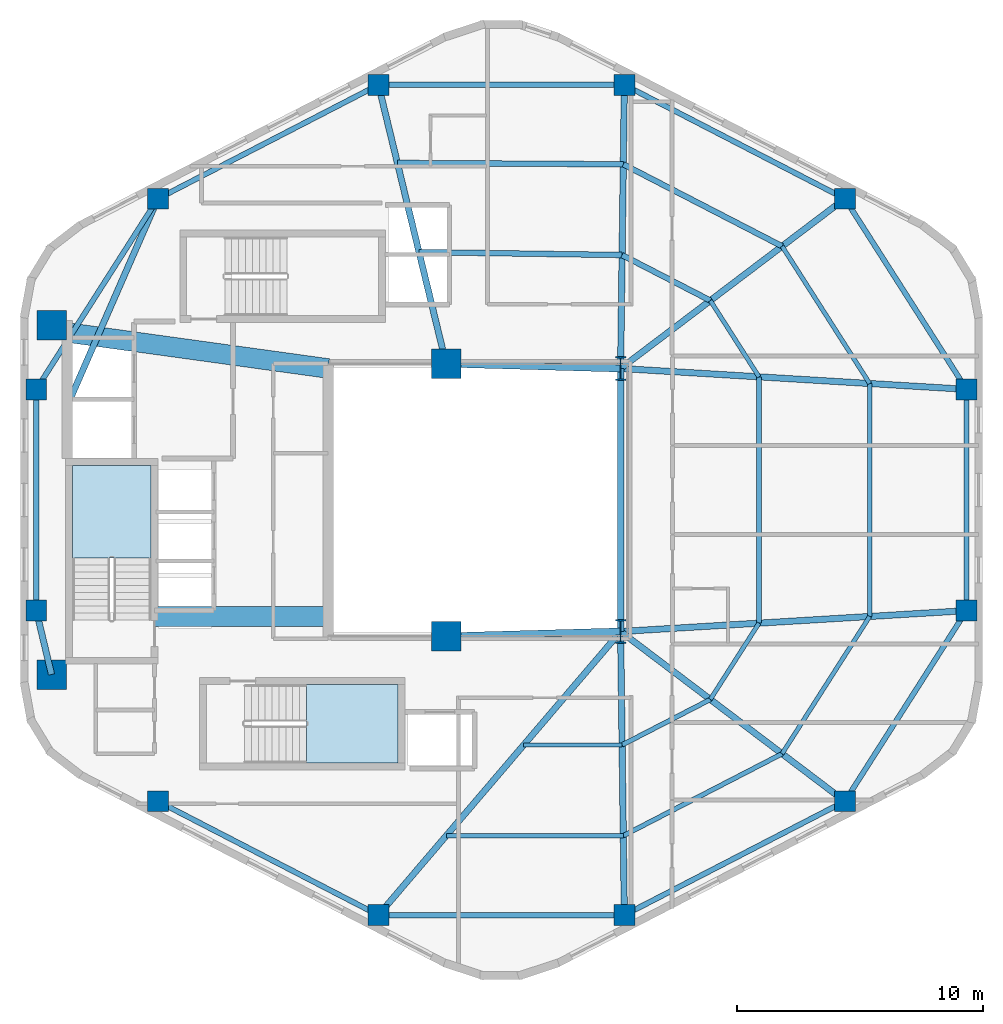
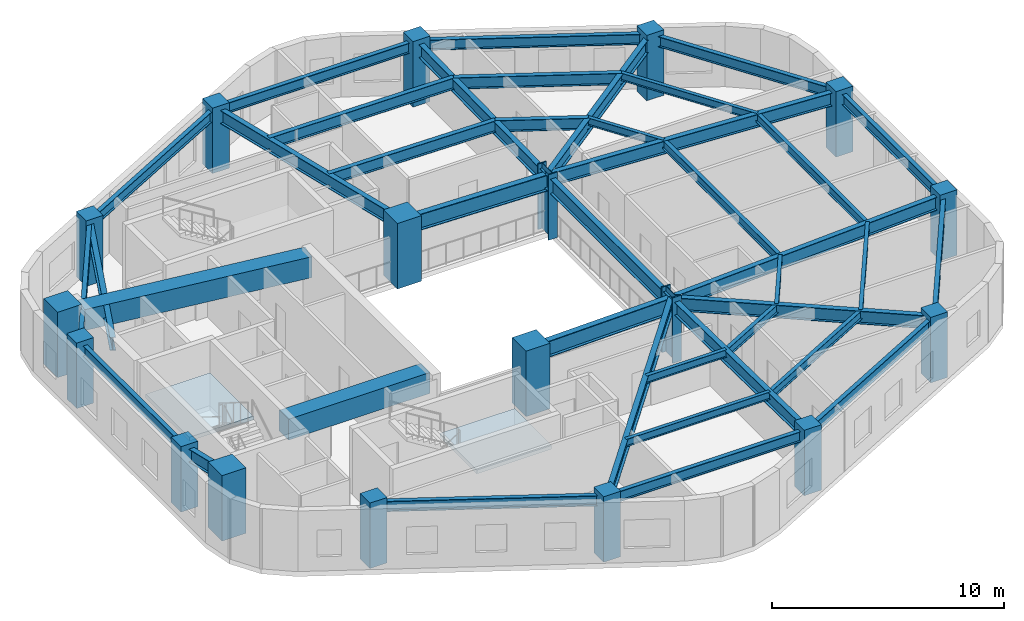
# One storey, part 1 of 7: 40 beams, 18 columns, 2 slabs, 2 elements without a shape of their own.
"""IFC4 building model written with IfcOpenShell, lengths in metres."""

from ifc_helpers import new_model, si_unit, direction, frame, origin, origin_2d, place, context, subcontext, project, spatial, polyline, rectangle, i_section, outline, extrude, material, layer, layer_set, material_profile, profile_set, type_object, element, aggregate, save


model = new_model("IFC4")

# Units and contexts
model_context = context("Model", 3, precision=1e-05, world=origin(), true_north=direction((0.0, 1.0)))
body_context = subcontext(model_context, "Body", "Model", "MODEL_VIEW")
ifc_project = project(units=[si_unit("LENGTHUNIT", "METRE"), si_unit("AREAUNIT", "SQUARE_METRE"), si_unit("VOLUMEUNIT", "CUBIC_METRE"), si_unit("PLANEANGLEUNIT", "RADIAN"), si_unit("MASSUNIT", "GRAM", prefix="KILO"), si_unit("THERMODYNAMICTEMPERATUREUNIT", "KELVIN"), si_unit("POWERUNIT", "WATT")], contexts=[model_context])

# Site, building, storey
site_placement = place(None, origin())
site = spatial("IfcSite", under=ifc_project, at=site_placement, CompositionType="ELEMENT")
building_placement = place(site_placement, origin())
building = spatial("IfcBuilding", under=site, at=building_placement, Name="Skarre Station Tower", CompositionType="ELEMENT")
storey_placement = place(building_placement, frame((0.0, 0.0, 196.449951171875)))
storey = spatial("IfcBuildingStorey", under=building, at=storey_placement, Name="L53", CompositionType="ELEMENT", Elevation=196.449951171875)

# Columns
ifc_material_1 = material(Name="Concrete C60/75", Category="concrete")
ifc_material_profile_1 = material_profile(ifc_material_1, rectangle(XDim=1.199951171875, YDim=1.199951171875, at=origin_2d()), Name="Concrete C60/75")
ifc_profile_set_1 = profile_set([ifc_material_profile_1], Name="Concrete C60/75")
column_type_1 = type_object("IfcColumnType", Name="RC Structural Column RC-COL-1200X1200", PredefinedType="COLUMN", material=ifc_profile_set_1)
for number, where, z_axis, x_axis, name in (
    (1, (16.300048828125, 16.89990234375, 0.0), (0.0, 0.0, 1.0), (1.0, 0.0, 0.0), "L53 Core Column CC-SW"),
    (2, (16.300048828125, 31.10009765625, 0.0), (0.0, 0.0, 1.0), (1.0, 0.0, 0.0), "L53 Core Column CC-NW"),
    (3, (32.35009765625, 18.449951171875, 0.0), (0.0, 0.0, 1.0), (1.0, 0.0, 0.0), "L53 Core Column CC-SE"),
    (4, (32.35009765625, 29.550048828125, 0.0), (0.0, 0.0, 1.0), (1.0, 0.0, 0.0), "L53 Core Column CC-NE"),
):
    element("IfcColumn", number, at=place(storey_placement, frame(where, z_axis=z_axis, x_axis=x_axis)), inside=storey, type_object=column_type_1, Name=name, PredefinedType="COLUMN", context=body_context, shape_type="SweptSolid", body=[
        extrude(rectangle(XDim=1.199951171875, YDim=1.199951171875, at=origin_2d()), origin(), (0.0, 0.0, 1.0), 3.449951171875),
    ])
ifc_material_2 = material(Name="Concrete C50/60", Category="concrete")
ifc_material_profile_2 = material_profile(ifc_material_2, rectangle(XDim=0.85009765625, YDim=0.85009765625, at=origin_2d()), Name="Concrete C50/60")
ifc_profile_set_2 = profile_set([ifc_material_profile_2], Name="Concrete C50/60")
column_type_2 = type_object("IfcColumnType", Name="RC Structural Column RC-COL-850X850", PredefinedType="COLUMN", material=ifc_profile_set_2)
for number, where, z_axis, x_axis, name in (
    (5, (48.573974609375, 36.257080078125, 0.0), (0.0, 0.0, 1.0), (1.0, 0.0, 0.0), "L53 Zone 3 Perimeter Column F0C1"),
    (6, (39.60205078125, 40.887939453125, 0.0), (0.0, 0.0, 1.0), (1.0, 0.0, 0.0), "L53 Zone 3 Perimeter Column F0C2"),
    (7, (29.597900390625, 40.887939453125, 0.0), (0.0, 0.0, 1.0), (1.0, 0.0, 0.0), "L53 Zone 3 Perimeter Column F1C1"),
    (8, (20.6259765625, 36.257080078125, 0.0), (0.0, 0.0, 1.0), (1.0, 0.0, 0.0), "L53 Zone 3 Perimeter Column F1C2"),
    (9, (15.677978515625, 28.5009765625, 0.0), (0.0, 0.0, 1.0), (1.0, 0.0, 0.0), "L53 Zone 3 Perimeter Column F2C1"),
    (10, (15.677978515625, 19.4990234375, 0.0), (0.0, 0.0, 1.0), (1.0, 0.0, 0.0), "L53 Zone 3 Perimeter Column F2C2"),
    (11, (20.6259765625, 11.742919921875, 0.0), (0.0, 0.0, 1.0), (1.0, 0.0, 0.0), "L53 Zone 3 Perimeter Column F3C1"),
    (12, (29.597900390625, 7.112060546875, 0.0), (0.0, 0.0, 1.0), (1.0, 0.0, 0.0), "L53 Zone 3 Perimeter Column F3C2"),
    (13, (39.60205078125, 7.112060546875, 0.0), (0.0, 0.0, 1.0), (1.0, 0.0, 0.0), "L53 Zone 3 Perimeter Column F4C1"),
    (14, (48.573974609375, 11.742919921875, 0.0), (0.0, 0.0, 1.0), (1.0, 0.0, 0.0), "L53 Zone 3 Perimeter Column F4C2"),
    (15, (53.52197265625, 19.4990234375, 0.0), (0.0, 0.0, 1.0), (1.0, 0.0, 0.0), "L53 Zone 3 Perimeter Column F5C1"),
    (16, (53.52197265625, 28.5009765625, 0.0), (0.0, 0.0, 1.0), (1.0, 0.0, 0.0), "L53 Zone 3 Perimeter Column F5C2"),
):
    element("IfcColumn", number, at=place(storey_placement, frame(where, z_axis=z_axis, x_axis=x_axis)), inside=storey, type_object=column_type_2, Name=name, PredefinedType="COLUMN", context=body_context, shape_type="SweptSolid", body=[
        extrude(rectangle(XDim=0.85009765625, YDim=0.85009765625, at=origin_2d()), origin(), (0.0, 0.0, 1.0), 3.449951171875),
    ])
ifc_material_3 = material(Name="Steel ASTM A913 Grade 65", Category="steel")
ifc_material_profile_3 = material_profile(ifc_material_3, i_section(OverallWidth=0.430908203125, OverallDepth=0.987060546875, WebThickness=0.033935546875, FlangeThickness=0.06201171875, at=origin_2d()), Name="Steel ASTM A913 Grade 65")
ifc_profile_set_3 = profile_set([ifc_material_profile_3], Name="Steel ASTM A913 Grade 65")
column_type_3 = type_object("IfcColumnType", Name="Steel Column W36X441", PredefinedType="COLUMN", material=ifc_profile_set_3)
for number, where, z_axis, x_axis, name in (
    (17, (39.449951171875, 18.64990234375, 0.0), (0.0, 0.0, 1.0), (1.0, 0.0, 0.0), "L53 Atrium Spine Column AC-SE"),
    (18, (39.449951171875, 29.35009765625, 0.0), (0.0, 0.0, 1.0), (1.0, 0.0, 0.0), "L53 Atrium Spine Column AC-NE"),
):
    element("IfcColumn", number, at=place(storey_placement, frame(where, z_axis=z_axis, x_axis=x_axis)), inside=storey, type_object=column_type_3, Name=name, PredefinedType="COLUMN", context=body_context, shape_type="SweptSolid", body=[
        extrude(i_section(OverallWidth=0.430908203125, OverallDepth=0.987060546875, WebThickness=0.033935546875, FlangeThickness=0.06201171875, at=origin_2d()), origin(), (0.0, 0.0, 1.0), 3.449951171875),
    ])

# Beams
ifc_material_4 = material(Name="Concrete C70/85", Category="concrete")
ifc_material_profile_4 = material_profile(ifc_material_4, rectangle(XDim=0.800048828125, YDim=1.10009765625, at=origin_2d()), Name="Concrete C70/85")
ifc_profile_set_4 = profile_set([ifc_material_profile_4], Name="Concrete C70/85")
beam_type_1 = type_object("IfcBeamType", Name="RC Core Coupling Lintel 800x1100", PredefinedType="LINTEL", material=ifc_profile_set_4)
beam_1_placement = place(storey_placement, frame((20.489990234375, 19.260009765625, 2.64013671875), z_axis=(1.0, 0.0, 0.0), x_axis=(0.0, 1.0, 0.0)))
element("IfcBeam", 19, at=beam_1_placement, inside=storey, type_object=beam_type_1, Name="L53 South Core Coupling Lintel", PredefinedType="LINTEL", context=body_context, shape_type="SweptSolid", body=[
    extrude(rectangle(XDim=0.800048828125, YDim=1.10009765625, at=origin_2d()), origin(), (0.0, 0.0, 1.0), 7.06005859375),
])
beam_2_placement = place(storey_placement, frame((17.050048828125, 30.800048828125, 2.64013671875), z_axis=(0.990599723633, -0.136792498109, 0.0), x_axis=(0.136792498109, 0.990599723633, 0.0)))
element("IfcBeam", 20, at=beam_2_placement, inside=storey, type_object=beam_type_1, Name="L53 North Core Coupling Lintel", PredefinedType="LINTEL", context=body_context, shape_type="SweptSolid", body=[
    extrude(rectangle(XDim=0.800048828125, YDim=1.10009765625, at=origin_2d()), origin(), (0.0, 0.0, 1.0), 10.599609375),
])
ifc_material_5 = material(Name="Steel ASTM A992 Grade 50", Category="steel")
ifc_material_profile_5 = material_profile(ifc_material_5, i_section(OverallWidth=0.256103515625, OverallDepth=0.693115234375, WebThickness=0.013916015625, FlangeThickness=0.02392578125, at=origin_2d()), Name="Steel ASTM A992 Grade 50")
ifc_profile_set_5 = profile_set([ifc_material_profile_5], Name="Steel ASTM A992 Grade 50")
beam_type_2 = type_object("IfcBeamType", Name="Steel Beam W27X114", PredefinedType="BEAM", material=ifc_profile_set_5)
beam_3_placement = place(storey_placement, frame((39.449951171875, 29.35009765625, 2.843017578125), z_axis=(0.797308988117, 0.603571352425, 0.0), x_axis=(-0.603571352425, 0.797308988117, 0.0)))
element("IfcBeam", 21, at=beam_3_placement, inside=storey, type_object=beam_type_2, Name="L53 Radial Floor Girder F0C1", PredefinedType="BEAM", context=body_context, shape_type="SweptSolid", body=[
    extrude(i_section(OverallWidth=0.256103515625, OverallDepth=0.693115234375, WebThickness=0.013916015625, FlangeThickness=0.02392578125, at=origin_2d()), origin(), (0.0, 0.0, 1.0), 11.443603515625),
])
beam_4_placement = place(storey_placement, frame((39.449951171875, 29.35009765625, 2.843017578125), z_axis=(0.013181528887, 0.999913119874, 0.0), x_axis=(-0.999913119874, 0.013181528887, 0.0)))
element("IfcBeam", 22, at=beam_4_placement, inside=storey, type_object=beam_type_2, Name="L53 Radial Floor Girder F0C2", PredefinedType="BEAM", context=body_context, shape_type="SweptSolid", body=[
    extrude(i_section(OverallWidth=0.256103515625, OverallDepth=0.693115234375, WebThickness=0.013916015625, FlangeThickness=0.02392578125, at=origin_2d()), origin(), (0.0, 0.0, 1.0), 11.538818359375),
])
beam_5_placement = place(storey_placement, frame((32.35009765625, 29.550048828125, 2.843017578125), z_axis=(-0.235892880832, 0.971779063765, 0.0), x_axis=(-0.971779063765, -0.235892880832, 0.0)))
element("IfcBeam", 23, at=beam_5_placement, inside=storey, type_object=beam_type_2, Name="L53 Radial Floor Girder F1C1", PredefinedType="BEAM", context=body_context, shape_type="SweptSolid", body=[
    extrude(i_section(OverallWidth=0.256103515625, OverallDepth=0.693115234375, WebThickness=0.013916015625, FlangeThickness=0.02392578125, at=origin_2d()), origin(), (0.0, 0.0, 1.0), 11.667236328125),
])
beam_6_placement = place(storey_placement, frame((17.010009765625, 28.0, 2.843017578125), z_axis=(0.401144174417, 0.916014929644, 0.0), x_axis=(-0.916014929644, 0.401144174417, 0.0)))
element("IfcBeam", 24, at=beam_6_placement, inside=storey, type_object=beam_type_2, Name="L53 Radial Floor Girder F1C2", PredefinedType="BEAM", context=body_context, shape_type="SweptSolid", body=[
    extrude(i_section(OverallWidth=0.256103515625, OverallDepth=0.693115234375, WebThickness=0.013916015625, FlangeThickness=0.02392578125, at=origin_2d()), origin(), (0.0, 0.0, 1.0), 9.01416015625),
])
beam_7_placement = place(storey_placement, frame((16.300048828125, 16.89990234375, 2.843017578125), z_axis=(-0.232764815072, 0.972533053867, 0.0), x_axis=(-0.972533053867, -0.232764815072, 0.0)))
element("IfcBeam", 25, at=beam_7_placement, inside=storey, type_object=beam_type_2, Name="L53 Radial Floor Girder F2C2", PredefinedType="BEAM", context=body_context, shape_type="SweptSolid", body=[
    extrude(i_section(OverallWidth=0.256103515625, OverallDepth=0.693115234375, WebThickness=0.013916015625, FlangeThickness=0.02392578125, at=origin_2d()), origin(), (0.0, 0.0, 1.0), 2.672607421875),
])
beam_8_placement = place(storey_placement, frame((39.449951171875, 18.64990234375, 2.843017578125), z_axis=(-0.649364312169, -0.760477475065, 0.0), x_axis=(0.760477475065, -0.649364312169, 0.0)))
element("IfcBeam", 26, at=beam_8_placement, inside=storey, type_object=beam_type_2, Name="L53 Radial Floor Girder F3C2", PredefinedType="BEAM", context=body_context, shape_type="SweptSolid", body=[
    extrude(i_section(OverallWidth=0.256103515625, OverallDepth=0.693115234375, WebThickness=0.013916015625, FlangeThickness=0.02392578125, at=origin_2d()), origin(), (0.0, 0.0, 1.0), 15.171875),
])
beam_9_placement = place(storey_placement, frame((39.449951171875, 18.64990234375, 2.843017578125), z_axis=(0.013181528887, -0.999913119874, 0.0), x_axis=(0.999913119874, 0.013181528887, 0.0)))
element("IfcBeam", 27, at=beam_9_placement, inside=storey, type_object=beam_type_2, Name="L53 Radial Floor Girder F4C1", PredefinedType="BEAM", context=body_context, shape_type="SweptSolid", body=[
    extrude(i_section(OverallWidth=0.256103515625, OverallDepth=0.693115234375, WebThickness=0.013916015625, FlangeThickness=0.02392578125, at=origin_2d()), origin(), (0.0, 0.0, 1.0), 11.538818359375),
])
beam_10_placement = place(storey_placement, frame((39.449951171875, 18.64990234375, 2.843017578125), z_axis=(0.797308988117, -0.603571352425, 0.0), x_axis=(0.603571352425, 0.797308988117, 0.0)))
element("IfcBeam", 28, at=beam_10_placement, inside=storey, type_object=beam_type_2, Name="L53 Radial Floor Girder F4C2", PredefinedType="BEAM", context=body_context, shape_type="SweptSolid", body=[
    extrude(i_section(OverallWidth=0.256103515625, OverallDepth=0.693115234375, WebThickness=0.013916015625, FlangeThickness=0.02392578125, at=origin_2d()), origin(), (0.0, 0.0, 1.0), 11.443603515625),
])
for number, where, z_axis, x_axis, name in (
    (29, (39.449951171875, 18.64990234375, 2.843017578125), (0.998184432941, 0.060231535207, 0.0), (-0.060231535207, 0.998184432941, 0.0), "L53 Radial Floor Girder F5C1"),
    (30, (39.449951171875, 29.35009765625, 2.843017578125), (0.998184432941, -0.060231535207, 0.0), (0.060231535207, 0.998184432941, 0.0), "L53 Radial Floor Girder F5C2"),
):
    element("IfcBeam", number, at=place(storey_placement, frame(where, z_axis=z_axis, x_axis=x_axis)), inside=storey, type_object=beam_type_2, Name=name, PredefinedType="BEAM", context=body_context, shape_type="SweptSolid", body=[
        extrude(i_section(OverallWidth=0.256103515625, OverallDepth=0.693115234375, WebThickness=0.013916015625, FlangeThickness=0.02392578125, at=origin_2d()), origin(), (0.0, 0.0, 1.0), 14.09765625),
    ])
ifc_material_profile_6 = material_profile(ifc_material_5, i_section(OverallWidth=0.26806640625, OverallDepth=0.77001953125, WebThickness=0.01611328125, FlangeThickness=0.02490234375, at=origin_2d()), Name="Steel ASTM A992 Grade 50")
ifc_profile_set_6 = profile_set([ifc_material_profile_6], Name="Steel ASTM A992 Grade 50")
beam_type_3 = type_object("IfcBeamType", Name="Steel Beam W30X132", PredefinedType="BEAM", material=ifc_profile_set_6)
beam_11_placement = place(storey_placement, frame((39.449951171875, 18.64990234375, 2.804931640625), z_axis=(0.0, 1.0, 0.0), x_axis=(-1.0, 0.0, 0.0)))
element("IfcBeam", 31, at=beam_11_placement, inside=storey, type_object=beam_type_3, Name="L53 Atrium East Edge Girder", PredefinedType="BEAM", context=body_context, shape_type="SweptSolid", body=[
    extrude(i_section(OverallWidth=0.26806640625, OverallDepth=0.77001953125, WebThickness=0.01611328125, FlangeThickness=0.02490234375, at=origin_2d()), origin(), (0.0, 0.0, 1.0), 10.7001953125),
])
ifc_material_profile_7 = material_profile(ifc_material_5, i_section(OverallWidth=0.2919921875, OverallDepth=0.85888671875, WebThickness=0.01708984375, FlangeThickness=0.031005859375, at=origin_2d()), Name="Steel ASTM A992 Grade 50")
ifc_profile_set_7 = profile_set([ifc_material_profile_7], Name="Steel ASTM A992 Grade 50")
beam_type_4 = type_object("IfcBeamType", Name="Steel Beam W33X169", PredefinedType="BEAM", material=ifc_profile_set_7)
for number, where, z_axis, x_axis, name in (
    (32, (32.35009765625, 18.449951171875, 2.760009765625), (0.999603666405, 0.028151556095, 0.0), (-0.028151556095, 0.999603666405, 0.0), "L53 Atrium South Edge Girder"),
    (33, (32.35009765625, 29.550048828125, 2.760009765625), (0.999603666405, -0.028151556095, 0.0), (0.028151556095, 0.999603666405, 0.0), "L53 Atrium North Edge Girder"),
):
    element("IfcBeam", number, at=place(storey_placement, frame(where, z_axis=z_axis, x_axis=x_axis)), inside=storey, type_object=beam_type_4, Name=name, PredefinedType="BEAM", context=body_context, shape_type="SweptSolid", body=[
        extrude(i_section(OverallWidth=0.2919921875, OverallDepth=0.85888671875, WebThickness=0.01708984375, FlangeThickness=0.031005859375, at=origin_2d()), origin(), (0.0, 0.0, 1.0), 7.102783203125),
    ])
ifc_material_profile_8 = material_profile(ifc_material_5, i_section(OverallWidth=0.177978515625, OverallDepth=0.403076171875, WebThickness=0.008056640625, FlangeThickness=0.010986328125, at=origin_2d()), Name="Steel ASTM A992 Grade 50")
ifc_profile_set_8 = profile_set([ifc_material_profile_8], Name="Steel ASTM A992 Grade 50")
beam_type_5 = type_object("IfcBeamType", Name="Steel Joist W16X36", PredefinedType="JOIST", material=ifc_profile_set_8)
beam_12_placement = place(storey_placement, frame((35.509033203125, 14.034912109375, 2.988037109375), z_axis=(1.0, 0.0, 0.0), x_axis=(0.0, 1.0, 0.0)))
element("IfcBeam", 34, at=beam_12_placement, inside=storey, type_object=beam_type_5, Name="L53 Auxiliary Composite Joist 7", PredefinedType="JOIST", context=body_context, shape_type="SweptSolid", body=[
    extrude(i_section(OverallWidth=0.177978515625, OverallDepth=0.403076171875, WebThickness=0.008056640625, FlangeThickness=0.010986328125, at=origin_2d()), origin(), (0.0, 0.0, 1.0), 4.001953125),
])
beam_13_placement = place(storey_placement, frame((32.35693359375, 10.343017578125, 2.988037109375), z_axis=(1.0, 0.0, 0.0), x_axis=(0.0, 1.0, 0.0)))
element("IfcBeam", 35, at=beam_13_placement, inside=storey, type_object=beam_type_5, Name="L53 Auxiliary Composite Joist 8", PredefinedType="JOIST", context=body_context, shape_type="SweptSolid", body=[
    extrude(i_section(OverallWidth=0.177978515625, OverallDepth=0.403076171875, WebThickness=0.008056640625, FlangeThickness=0.010986328125, at=origin_2d()), origin(), (0.0, 0.0, 1.0), 7.2021484375),
])
beam_14_placement = place(storey_placement, frame((43.10009765625, 15.886962890625, 2.988037109375), z_axis=(0.537716516977, 0.843125700812, 0.0), x_axis=(-0.843125700812, 0.537716516977, 0.0)))
element("IfcBeam", 36, at=beam_14_placement, inside=storey, type_object=beam_type_5, Name="L53 Auxiliary Composite Joist 11", PredefinedType="JOIST", context=body_context, shape_type="SweptSolid", body=[
    extrude(i_section(OverallWidth=0.177978515625, OverallDepth=0.403076171875, WebThickness=0.008056640625, FlangeThickness=0.010986328125, at=origin_2d()), origin(), (0.0, 0.0, 1.0), 3.680419921875),
])
beam_15_placement = place(storey_placement, frame((46.01904296875, 13.677001953125, 2.988037109375), z_axis=(0.537900605588, 0.843008267165, 0.0), x_axis=(-0.843008267165, 0.537900605588, 0.0)))
element("IfcBeam", 37, at=beam_15_placement, inside=storey, type_object=beam_type_5, Name="L53 Auxiliary Composite Joist 12", PredefinedType="JOIST", context=body_context, shape_type="SweptSolid", body=[
    extrude(i_section(OverallWidth=0.177978515625, OverallDepth=0.403076171875, WebThickness=0.008056640625, FlangeThickness=0.010986328125, at=origin_2d()), origin(), (0.0, 0.0, 1.0), 6.623779296875),
])
beam_16_placement = place(storey_placement, frame((45.0791015625, 29.010009765625, 2.988037109375), z_axis=(-0.537716516977, 0.843125700812, 0.0), x_axis=(-0.843125700812, -0.537716516977, 0.0)))
element("IfcBeam", 38, at=beam_16_placement, inside=storey, type_object=beam_type_5, Name="L53 Auxiliary Composite Joist 15", PredefinedType="JOIST", context=body_context, shape_type="SweptSolid", body=[
    extrude(i_section(OverallWidth=0.177978515625, OverallDepth=0.403076171875, WebThickness=0.008056640625, FlangeThickness=0.010986328125, at=origin_2d()), origin(), (0.0, 0.0, 1.0), 3.680419921875),
])
beam_17_placement = place(storey_placement, frame((49.58203125, 28.739013671875, 2.988037109375), z_axis=(-0.537900605588, 0.843008267165, 0.0), x_axis=(-0.843008267165, -0.537900605588, 0.0)))
element("IfcBeam", 39, at=beam_17_placement, inside=storey, type_object=beam_type_5, Name="L53 Auxiliary Composite Joist 16", PredefinedType="JOIST", context=body_context, shape_type="SweptSolid", body=[
    extrude(i_section(OverallWidth=0.177978515625, OverallDepth=0.403076171875, WebThickness=0.008056640625, FlangeThickness=0.010986328125, at=origin_2d()), origin(), (0.0, 0.0, 1.0), 6.623779296875),
])
ifc_material_profile_9 = material_profile(ifc_material_5, i_section(OverallWidth=0.19091796875, OverallDepth=0.45703125, WebThickness=0.009033203125, FlangeThickness=0.013916015625, at=origin_2d()), Name="Steel ASTM A992 Grade 50")
ifc_profile_set_9 = profile_set([ifc_material_profile_9], Name="Steel ASTM A992 Grade 50")
beam_type_6 = type_object("IfcBeamType", Name="Steel Joist W18X50", PredefinedType="JOIST", material=ifc_profile_set_9)
beam_18_placement = place(storey_placement, frame((39.510986328125, 14.034912109375, 2.9609375), z_axis=(0.888660390105, 0.458565928803, 0.0), x_axis=(-0.458565928803, 0.888660390105, 0.0)))
element("IfcBeam", 40, at=beam_18_placement, inside=storey, type_object=beam_type_6, Name="L53 Auxiliary Composite Joist 9", PredefinedType="JOIST", context=body_context, shape_type="SweptSolid", body=[
    extrude(i_section(OverallWidth=0.19091796875, OverallDepth=0.45703125, WebThickness=0.009033203125, FlangeThickness=0.013916015625, at=origin_2d()), origin(), (0.0, 0.0, 1.0), 4.038818359375),
])
beam_19_placement = place(storey_placement, frame((39.55908203125, 10.343017578125, 2.9609375), z_axis=(0.88863125356, 0.458622388459, 0.0), x_axis=(-0.458622388459, 0.88863125356, 0.0)))
element("IfcBeam", 41, at=beam_19_placement, inside=storey, type_object=beam_type_6, Name="L53 Auxiliary Composite Joist 10", PredefinedType="JOIST", context=body_context, shape_type="SweptSolid", body=[
    extrude(i_section(OverallWidth=0.19091796875, OverallDepth=0.45703125, WebThickness=0.009033203125, FlangeThickness=0.013916015625, at=origin_2d()), origin(), (0.0, 0.0, 1.0), 7.26953125),
])
beam_20_placement = place(storey_placement, frame((45.0791015625, 18.989990234375, 2.9609375), z_axis=(0.0, 1.0, 0.0), x_axis=(-1.0, 0.0, 0.0)))
element("IfcBeam", 42, at=beam_20_placement, inside=storey, type_object=beam_type_6, Name="L53 Auxiliary Composite Joist 13", PredefinedType="JOIST", context=body_context, shape_type="SweptSolid", body=[
    extrude(i_section(OverallWidth=0.19091796875, OverallDepth=0.45703125, WebThickness=0.009033203125, FlangeThickness=0.013916015625, at=origin_2d()), origin(), (0.0, 0.0, 1.0), 10.02001953125),
])
beam_21_placement = place(storey_placement, frame((49.58203125, 19.260986328125, 2.9609375), z_axis=(0.0, 1.0, 0.0), x_axis=(-1.0, 0.0, 0.0)))
element("IfcBeam", 43, at=beam_21_placement, inside=storey, type_object=beam_type_6, Name="L53 Auxiliary Composite Joist 14", PredefinedType="JOIST", context=body_context, shape_type="SweptSolid", body=[
    extrude(i_section(OverallWidth=0.19091796875, OverallDepth=0.45703125, WebThickness=0.009033203125, FlangeThickness=0.013916015625, at=origin_2d()), origin(), (0.0, 0.0, 1.0), 9.47802734375),
])
ifc_material_profile_10 = material_profile(ifc_material_5, i_section(OverallWidth=0.22802734375, OverallDepth=0.60791015625, WebThickness=0.010986328125, FlangeThickness=0.01708984375, at=origin_2d()), Name="Steel ASTM A992 Grade 50")
ifc_profile_set_10 = profile_set([ifc_material_profile_10], Name="Steel ASTM A992 Grade 50")
beam_type_7 = type_object("IfcBeamType", Name="Steel Joist W24X76", PredefinedType="JOIST", material=ifc_profile_set_10)
beam_22_placement = place(storey_placement, frame((43.10009765625, 32.113037109375, 2.885986328125), z_axis=(-0.888660390105, 0.458565928803, 0.0), x_axis=(-0.458565928803, -0.888660390105, 0.0)))
element("IfcBeam", 44, at=beam_22_placement, inside=storey, type_object=beam_type_7, Name="L53 Secondary Floor Joist 1", PredefinedType="JOIST", context=body_context, shape_type="SweptSolid", body=[
    extrude(i_section(OverallWidth=0.22802734375, OverallDepth=0.60791015625, WebThickness=0.010986328125, FlangeThickness=0.01708984375, at=origin_2d()), origin(), (0.0, 0.0, 1.0), 4.038818359375),
])
beam_23_placement = place(storey_placement, frame((46.01904296875, 34.322998046875, 2.885986328125), z_axis=(-0.88863125356, 0.458622388459, 0.0), x_axis=(-0.458622388459, -0.88863125356, 0.0)))
element("IfcBeam", 45, at=beam_23_placement, inside=storey, type_object=beam_type_7, Name="L53 Secondary Floor Joist 2", PredefinedType="JOIST", context=body_context, shape_type="SweptSolid", body=[
    extrude(i_section(OverallWidth=0.22802734375, OverallDepth=0.60791015625, WebThickness=0.010986328125, FlangeThickness=0.01708984375, at=origin_2d()), origin(), (0.0, 0.0, 1.0), 7.26953125),
])
beam_24_placement = place(storey_placement, frame((39.510986328125, 33.965087890625, 2.885986328125), z_axis=(-0.999894760676, 0.014507500591, 0.0), x_axis=(-0.014507500591, -0.999894760676, 0.0)))
element("IfcBeam", 46, at=beam_24_placement, inside=storey, type_object=beam_type_7, Name="L53 Secondary Floor Joist 3", PredefinedType="JOIST", context=body_context, shape_type="SweptSolid", body=[
    extrude(i_section(OverallWidth=0.22802734375, OverallDepth=0.60791015625, WebThickness=0.010986328125, FlangeThickness=0.01708984375, at=origin_2d()), origin(), (0.0, 0.0, 1.0), 8.262939453125),
])
beam_25_placement = place(storey_placement, frame((39.55908203125, 37.656982421875, 2.885986328125), z_axis=(-0.99998149622, 0.006083355807, 0.0), x_axis=(-0.006083355807, -0.99998149622, 0.0)))
element("IfcBeam", 47, at=beam_25_placement, inside=storey, type_object=beam_type_7, Name="L53 Secondary Floor Joist 4", PredefinedType="JOIST", context=body_context, shape_type="SweptSolid", body=[
    extrude(i_section(OverallWidth=0.22802734375, OverallDepth=0.60791015625, WebThickness=0.010986328125, FlangeThickness=0.01708984375, at=origin_2d()), origin(), (0.0, 0.0, 1.0), 9.1904296875),
])
ifc_material_profile_11 = material_profile(ifc_material_5, i_section(OverallWidth=0.214111328125, OverallDepth=0.549072265625, WebThickness=0.014892578125, FlangeThickness=0.02392578125, at=origin_2d()), Name="Steel ASTM A992 Grade 50")
ifc_profile_set_11 = profile_set([ifc_material_profile_11], Name="Steel ASTM A992 Grade 50")
beam_type_8 = type_object("IfcBeamType", Name="Steel Spandrel W21X93", PredefinedType="SPANDREL", material=ifc_profile_set_11)
beam_26_placement = place(storey_placement, frame((48.573974609375, 36.257080078125, 2.9150390625), z_axis=(-0.888613027226, 0.458657702262, 0.0), x_axis=(-0.458657702262, -0.888613027226, 0.0)))
element("IfcBeam", 48, at=beam_26_placement, inside=storey, type_object=beam_type_8, Name="L53 Facet Spandrel Beam 1", PredefinedType="SPANDREL", context=body_context, shape_type="SweptSolid", body=[
    extrude(i_section(OverallWidth=0.214111328125, OverallDepth=0.549072265625, WebThickness=0.014892578125, FlangeThickness=0.02392578125, at=origin_2d()), origin(), (0.0, 0.0, 1.0), 10.096435546875),
])
beam_27_placement = place(storey_placement, frame((39.60205078125, 40.887939453125, 2.9150390625), z_axis=(-1.0, 0.0, 0.0), x_axis=(0.0, -1.0, 0.0)))
element("IfcBeam", 49, at=beam_27_placement, inside=storey, type_object=beam_type_8, Name="L53 Facet Spandrel Beam 2", PredefinedType="SPANDREL", context=body_context, shape_type="SweptSolid", body=[
    extrude(i_section(OverallWidth=0.214111328125, OverallDepth=0.549072265625, WebThickness=0.014892578125, FlangeThickness=0.02392578125, at=origin_2d()), origin(), (0.0, 0.0, 1.0), 10.004150390625),
])
beam_28_placement = place(storey_placement, frame((29.597900390625, 40.887939453125, 2.9150390625), z_axis=(-0.888613027226, -0.458657702262, 0.0), x_axis=(0.458657702262, -0.888613027226, 0.0)))
element("IfcBeam", 50, at=beam_28_placement, inside=storey, type_object=beam_type_8, Name="L53 Facet Spandrel Beam 3", PredefinedType="SPANDREL", context=body_context, shape_type="SweptSolid", body=[
    extrude(i_section(OverallWidth=0.214111328125, OverallDepth=0.549072265625, WebThickness=0.014892578125, FlangeThickness=0.02392578125, at=origin_2d()), origin(), (0.0, 0.0, 1.0), 10.096435546875),
])
beam_29_placement = place(storey_placement, frame((20.6259765625, 36.257080078125, 2.9150390625), z_axis=(-0.537826426158, -0.843055594445, 0.0), x_axis=(0.843055594445, -0.537826426158, 0.0)))
element("IfcBeam", 51, at=beam_29_placement, inside=storey, type_object=beam_type_8, Name="L53 Facet Spandrel Beam 4", PredefinedType="SPANDREL", context=body_context, shape_type="SweptSolid", body=[
    extrude(i_section(OverallWidth=0.214111328125, OverallDepth=0.549072265625, WebThickness=0.014892578125, FlangeThickness=0.02392578125, at=origin_2d()), origin(), (0.0, 0.0, 1.0), 9.199951171875),
])
beam_30_placement = place(storey_placement, frame((15.677978515625, 28.5009765625, 2.9150390625), z_axis=(0.0, -1.0, 0.0), x_axis=(1.0, 0.0, 0.0)))
element("IfcBeam", 52, at=beam_30_placement, inside=storey, type_object=beam_type_8, Name="L53 Facet Spandrel Beam 5", PredefinedType="SPANDREL", context=body_context, shape_type="SweptSolid", body=[
    extrude(i_section(OverallWidth=0.214111328125, OverallDepth=0.549072265625, WebThickness=0.014892578125, FlangeThickness=0.02392578125, at=origin_2d()), origin(), (0.0, 0.0, 1.0), 9.001953125),
])
beam_31_placement = place(storey_placement, frame((20.6259765625, 11.742919921875, 2.9150390625), z_axis=(0.888613027226, -0.458657702262, 0.0), x_axis=(0.458657702262, 0.888613027226, 0.0)))
element("IfcBeam", 53, at=beam_31_placement, inside=storey, type_object=beam_type_8, Name="L53 Facet Spandrel Beam 7", PredefinedType="SPANDREL", context=body_context, shape_type="SweptSolid", body=[
    extrude(i_section(OverallWidth=0.214111328125, OverallDepth=0.549072265625, WebThickness=0.014892578125, FlangeThickness=0.02392578125, at=origin_2d()), origin(), (0.0, 0.0, 1.0), 10.096435546875),
])
beam_32_placement = place(storey_placement, frame((29.597900390625, 7.112060546875, 2.9150390625), z_axis=(1.0, 0.0, 0.0), x_axis=(0.0, 1.0, 0.0)))
element("IfcBeam", 54, at=beam_32_placement, inside=storey, type_object=beam_type_8, Name="L53 Facet Spandrel Beam 8", PredefinedType="SPANDREL", context=body_context, shape_type="SweptSolid", body=[
    extrude(i_section(OverallWidth=0.214111328125, OverallDepth=0.549072265625, WebThickness=0.014892578125, FlangeThickness=0.02392578125, at=origin_2d()), origin(), (0.0, 0.0, 1.0), 10.004150390625),
])
beam_33_placement = place(storey_placement, frame((39.60205078125, 7.112060546875, 2.9150390625), z_axis=(0.888613027226, 0.458657702262, 0.0), x_axis=(-0.458657702262, 0.888613027226, 0.0)))
element("IfcBeam", 55, at=beam_33_placement, inside=storey, type_object=beam_type_8, Name="L53 Facet Spandrel Beam 9", PredefinedType="SPANDREL", context=body_context, shape_type="SweptSolid", body=[
    extrude(i_section(OverallWidth=0.214111328125, OverallDepth=0.549072265625, WebThickness=0.014892578125, FlangeThickness=0.02392578125, at=origin_2d()), origin(), (0.0, 0.0, 1.0), 10.096435546875),
])
beam_34_placement = place(storey_placement, frame((48.573974609375, 11.742919921875, 2.9150390625), z_axis=(0.537826426158, 0.843055594445, 0.0), x_axis=(-0.843055594445, 0.537826426158, 0.0)))
element("IfcBeam", 56, at=beam_34_placement, inside=storey, type_object=beam_type_8, Name="L53 Facet Spandrel Beam 10", PredefinedType="SPANDREL", context=body_context, shape_type="SweptSolid", body=[
    extrude(i_section(OverallWidth=0.214111328125, OverallDepth=0.549072265625, WebThickness=0.014892578125, FlangeThickness=0.02392578125, at=origin_2d()), origin(), (0.0, 0.0, 1.0), 9.199951171875),
])
beam_35_placement = place(storey_placement, frame((53.52197265625, 19.4990234375, 2.9150390625), z_axis=(0.0, 1.0, 0.0), x_axis=(-1.0, 0.0, 0.0)))
element("IfcBeam", 57, at=beam_35_placement, inside=storey, type_object=beam_type_8, Name="L53 Facet Spandrel Beam 11", PredefinedType="SPANDREL", context=body_context, shape_type="SweptSolid", body=[
    extrude(i_section(OverallWidth=0.214111328125, OverallDepth=0.549072265625, WebThickness=0.014892578125, FlangeThickness=0.02392578125, at=origin_2d()), origin(), (0.0, 0.0, 1.0), 9.001953125),
])
beam_36_placement = place(storey_placement, frame((53.52197265625, 28.5009765625, 2.9150390625), z_axis=(-0.537826426158, 0.843055594445, 0.0), x_axis=(-0.843055594445, -0.537826426158, 0.0)))
element("IfcBeam", 58, at=beam_36_placement, inside=storey, type_object=beam_type_8, Name="L53 Facet Spandrel Beam 12", PredefinedType="SPANDREL", context=body_context, shape_type="SweptSolid", body=[
    extrude(i_section(OverallWidth=0.214111328125, OverallDepth=0.549072265625, WebThickness=0.014892578125, FlangeThickness=0.02392578125, at=origin_2d()), origin(), (0.0, 0.0, 1.0), 9.199951171875),
])

# Stair, slab
ifc_material_6 = material(Name="Concrete C40/50", Category="concrete")
stair_type_1 = type_object("IfcStairType", Name="Reinforced Concrete Exit Stair ST-1", PredefinedType="HALF_TURN_STAIR", material=ifc_material_6)
stair_1_placement = place(storey_placement, origin())
stair_1 = element("IfcStair", 59, at=stair_1_placement, inside=storey, type_object=stair_type_1, Name="L53 Core Exit Stair ST-1", PredefinedType="HALF_TURN_STAIR")
ifc_layer = layer(ifc_material_6, 0.219970703125, Name="Concrete C40/50")
ifc_layer_set = layer_set([ifc_layer], Name="Concrete C40/50")
slab_type = type_object("IfcSlabType", Name="Reinforced Concrete Stair & Ramp Landing 220", PredefinedType="LANDING", material=ifc_layer_set)
slab_1_placement = place(storey_placement, frame((0.0, 0.0, 1.525146484375)))
slab_1 = element("IfcSlab", 60, at=slab_1_placement, type_object=slab_type, Name="ST-1 landing 1", PredefinedType="LANDING", context=body_context, shape_type="SweptSolid", body=[
    extrude(outline(polyline([(20.35009765625, 21.639892578125), (20.35009765625, 25.39990234375), (17.14990234375, 25.39990234375), (17.14990234375, 21.639892578125), (20.35009765625, 21.639892578125)])), origin(), (0.0, 0.0, 1.0), 0.199951171875),
])
aggregate(stair_1, [slab_1])

stair_type_2 = type_object("IfcStairType", Name="Reinforced Concrete Exit Stair ST-2", PredefinedType="HALF_TURN_STAIR", material=ifc_material_6)
stair_2_placement = place(storey_placement, origin())
stair_2 = element("IfcStair", 61, at=stair_2_placement, inside=storey, type_object=stair_type_2, Name="L53 Core Exit Stair ST-2", PredefinedType="HALF_TURN_STAIR")
slab_2_placement = place(storey_placement, frame((0.0, 0.0, 1.525146484375)))
slab_2 = element("IfcSlab", 62, at=slab_2_placement, type_object=slab_type, Name="ST-2 landing 1", PredefinedType="LANDING", context=body_context, shape_type="SweptSolid", body=[
    extrude(outline(polyline([(26.669921875, 13.300048828125), (30.39990234375, 13.300048828125), (30.39990234375, 16.5), (26.669921875, 16.5), (26.669921875, 13.300048828125)])), origin(), (0.0, 0.0, 1.0), 0.199951171875),
])
aggregate(stair_2, [slab_2])

save(model, "model.ifc")
